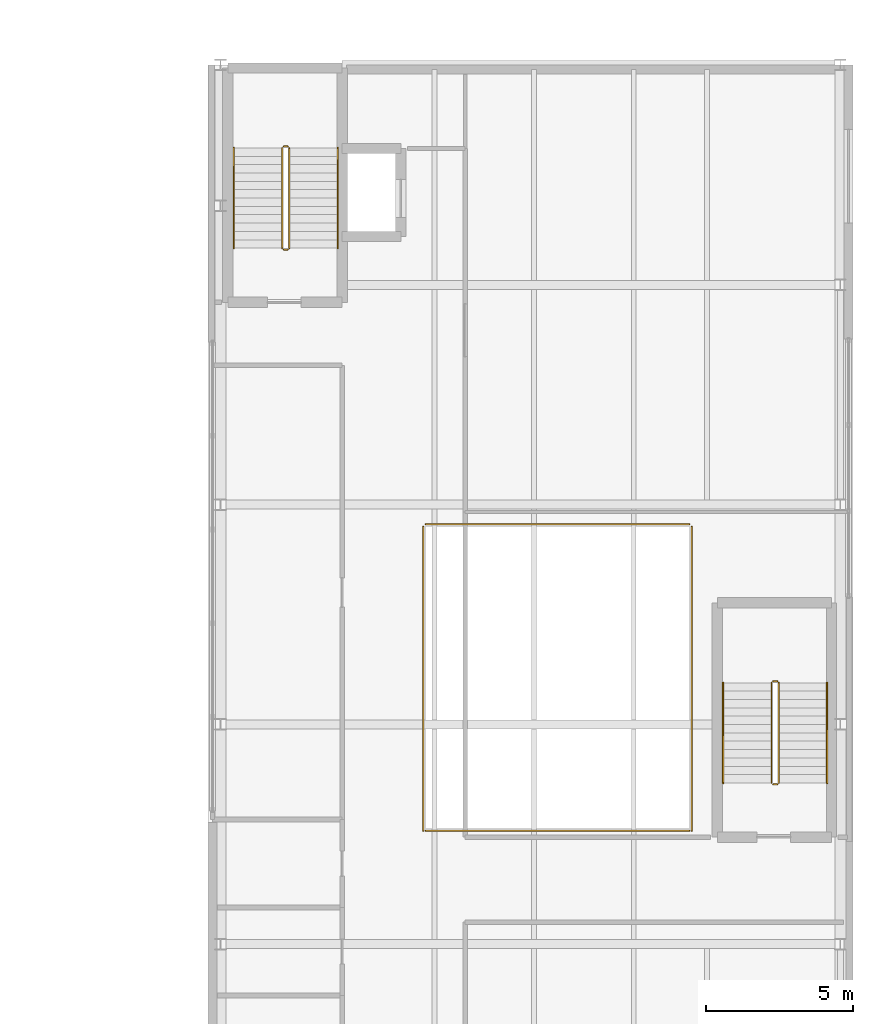
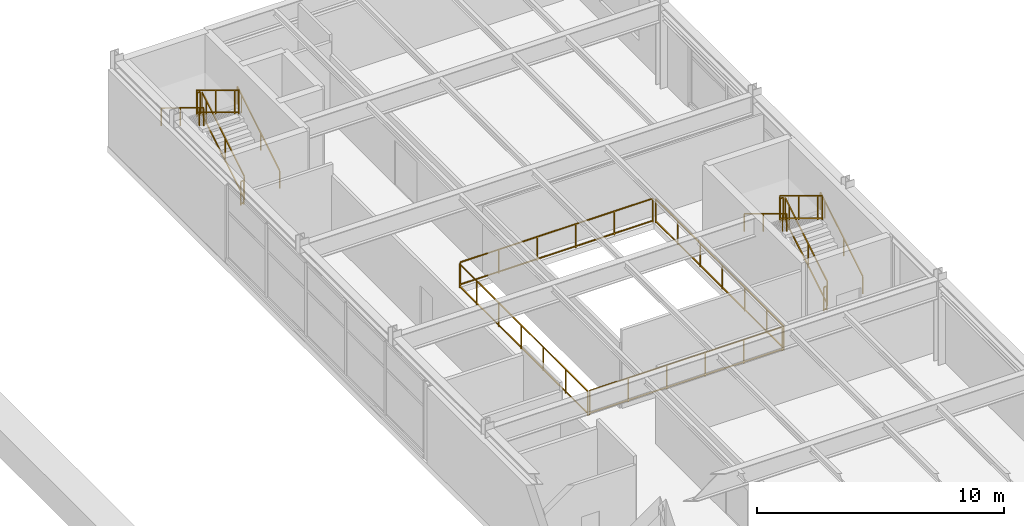
# One storey, part 16 of 16: 16 railings.
"""IFC4 building model written with IfcOpenShell, lengths in metres."""

from ifc_helpers import new_model, si_unit, direction, frame, origin, origin_2d, place, context, subcontext, project, spatial, rectangle, extrude, material, type_object, element, save


model = new_model("IFC4")

# Units and contexts
model_context = context("Model", 3, precision=1e-05, world=origin(), true_north=direction((0.0, 1.0)))
body_context = subcontext(model_context, "Body", "Model", "MODEL_VIEW")
ifc_project = project(units=[si_unit("LENGTHUNIT", "METRE"), si_unit("AREAUNIT", "SQUARE_METRE"), si_unit("VOLUMEUNIT", "CUBIC_METRE"), si_unit("PLANEANGLEUNIT", "RADIAN"), si_unit("MASSUNIT", "GRAM", prefix="KILO")], contexts=[model_context])

# Site, building, storey
site_placement = place(None, origin())
site = spatial("IfcSite", under=ifc_project, at=site_placement, CompositionType="ELEMENT")
building_placement = place(site_placement, origin())
building = spatial("IfcBuilding", under=site, at=building_placement, Name="Mersakhor Tower and Convention Hall", CompositionType="ELEMENT")
storey_placement = place(building_placement, frame((0.0, 0.0, 5.10009765625)))
storey = spatial("IfcBuildingStorey", under=building, at=storey_placement, Name="L01", CompositionType="ELEMENT", Elevation=5.10009765625)

# Railings
ifc_material_1 = material(Name="Powder-coated galvanised steel and laminated glass balustrade", Category="steel")
railing_type_1 = type_object("IfcRailingType", Name="RL-BAL-1200", PredefinedType="BALUSTRADE", material=ifc_material_1)
railing_1_placement = place(storey_placement, frame((62.419921875, 22.1201171875, 0.0)))
element("IfcRailing", 1, at=railing_1_placement, inside=storey, type_object=railing_type_1, Name="Convention L01 Exhibition Gallery Atrium Balustrade W", PredefinedType="BALUSTRADE", context=body_context, shape_type="SweptSolid", body=[
    extrude(rectangle(XDim=0.048095703125, YDim=0.048095703125, at=origin_2d()), frame((0.0, 0.0, 1.17578125), z_axis=(0.0, 1.0, 0.0), x_axis=(-1.0, 0.0, 0.0)), (0.0, 0.0, 1.0), 10.3798828125),
    extrude(rectangle(XDim=0.048095703125, YDim=0.048095703125, at=origin_2d()), frame((0.0, 0.0, 0.080078125), z_axis=(0.0, 1.0, 0.0), x_axis=(-1.0, 0.0, 0.0)), (0.0, 0.0, 1.0), 10.3798828125),
    extrude(rectangle(XDim=0.0419921875, YDim=0.0419921875, at=origin_2d()), origin(), (0.0, 0.0, 1.0), 1.15185546875),
    extrude(rectangle(XDim=0.0419921875, YDim=0.0419921875, at=origin_2d()), frame((0.0, 1.800048828125, 0.0)), (0.0, 0.0, 1.0), 1.15185546875),
    extrude(rectangle(XDim=0.0419921875, YDim=0.0419921875, at=origin_2d()), frame((0.0, 3.60009765625, 0.0)), (0.0, 0.0, 1.0), 1.15185546875),
    extrude(rectangle(XDim=0.0419921875, YDim=0.0419921875, at=origin_2d()), frame((0.0, 5.39990234375, 0.0)), (0.0, 0.0, 1.0), 1.15185546875),
    extrude(rectangle(XDim=0.0419921875, YDim=0.0419921875, at=origin_2d()), frame((0.0, 7.199951171875, 0.0)), (0.0, 0.0, 1.0), 1.15185546875),
    extrude(rectangle(XDim=0.0419921875, YDim=0.0419921875, at=origin_2d()), frame((0.0, 9.0, 0.0)), (0.0, 0.0, 1.0), 1.15185546875),
    extrude(rectangle(XDim=0.0419921875, YDim=0.0419921875, at=origin_2d()), frame((0.0, 10.3798828125, 0.0)), (0.0, 0.0, 1.0), 1.15185546875),
])
railing_2_placement = place(storey_placement, frame((62.5, 32.580078125, 0.0)))
element("IfcRailing", 2, at=railing_2_placement, inside=storey, type_object=railing_type_1, Name="Convention L01 Exhibition Gallery Atrium Balustrade N", PredefinedType="BALUSTRADE", context=body_context, shape_type="SweptSolid", body=[
    extrude(rectangle(XDim=0.048095703125, YDim=0.048095703125, at=origin_2d()), frame((0.0, 0.0, 1.17578125), z_axis=(1.0, 0.0, 0.0), x_axis=(0.0, 1.0, 0.0)), (0.0, 0.0, 1.0), 9.0),
    extrude(rectangle(XDim=0.048095703125, YDim=0.048095703125, at=origin_2d()), frame((0.0, 0.0, 0.080078125), z_axis=(1.0, 0.0, 0.0), x_axis=(0.0, 1.0, 0.0)), (0.0, 0.0, 1.0), 9.0),
    extrude(rectangle(XDim=0.0419921875, YDim=0.0419921875, at=origin_2d()), origin(), (0.0, 0.0, 1.0), 1.15185546875),
    extrude(rectangle(XDim=0.0419921875, YDim=0.0419921875, at=origin_2d()), frame((1.800048828125, 0.0, 0.0)), (0.0, 0.0, 1.0), 1.15185546875),
    extrude(rectangle(XDim=0.0419921875, YDim=0.0419921875, at=origin_2d()), frame((3.60009765625, 0.0, 0.0)), (0.0, 0.0, 1.0), 1.15185546875),
    extrude(rectangle(XDim=0.0419921875, YDim=0.0419921875, at=origin_2d()), frame((5.39990234375, 0.0, 0.0)), (0.0, 0.0, 1.0), 1.15185546875),
    extrude(rectangle(XDim=0.0419921875, YDim=0.0419921875, at=origin_2d()), frame((7.199951171875, 0.0, 0.0)), (0.0, 0.0, 1.0), 1.15185546875),
    extrude(rectangle(XDim=0.0419921875, YDim=0.0419921875, at=origin_2d()), frame((9.0, 0.0, 0.0)), (0.0, 0.0, 1.0), 1.15185546875),
])
railing_3_placement = place(storey_placement, frame((71.580078125, 32.5, 0.0)))
element("IfcRailing", 3, at=railing_3_placement, inside=storey, type_object=railing_type_1, Name="Convention L01 Exhibition Gallery Atrium Balustrade E", PredefinedType="BALUSTRADE", context=body_context, shape_type="SweptSolid", body=[
    extrude(rectangle(XDim=0.048095703125, YDim=0.048095703125, at=origin_2d()), frame((0.0, 0.0, 1.17578125), z_axis=(0.0, -1.0, 0.0), x_axis=(1.0, 0.0, 0.0)), (0.0, 0.0, 1.0), 10.3798828125),
    extrude(rectangle(XDim=0.048095703125, YDim=0.048095703125, at=origin_2d()), frame((0.0, 0.0, 0.080078125), z_axis=(0.0, -1.0, 0.0), x_axis=(1.0, 0.0, 0.0)), (0.0, 0.0, 1.0), 10.3798828125),
    extrude(rectangle(XDim=0.0419921875, YDim=0.0419921875, at=origin_2d()), origin(), (0.0, 0.0, 1.0), 1.15185546875),
    extrude(rectangle(XDim=0.0419921875, YDim=0.0419921875, at=origin_2d()), frame((0.0, -1.800048828125, 0.0)), (0.0, 0.0, 1.0), 1.15185546875),
    extrude(rectangle(XDim=0.0419921875, YDim=0.0419921875, at=origin_2d()), frame((0.0, -3.60009765625, 0.0)), (0.0, 0.0, 1.0), 1.15185546875),
    extrude(rectangle(XDim=0.0419921875, YDim=0.0419921875, at=origin_2d()), frame((0.0, -5.39990234375, 0.0)), (0.0, 0.0, 1.0), 1.15185546875),
    extrude(rectangle(XDim=0.0419921875, YDim=0.0419921875, at=origin_2d()), frame((0.0, -7.199951171875, 0.0)), (0.0, 0.0, 1.0), 1.15185546875),
    extrude(rectangle(XDim=0.0419921875, YDim=0.0419921875, at=origin_2d()), frame((0.0, -9.0, 0.0)), (0.0, 0.0, 1.0), 1.15185546875),
    extrude(rectangle(XDim=0.0419921875, YDim=0.0419921875, at=origin_2d()), frame((0.0, -10.3798828125, 0.0)), (0.0, 0.0, 1.0), 1.15185546875),
])
railing_4_placement = place(storey_placement, frame((71.5, 22.1201171875, 0.0)))
element("IfcRailing", 4, at=railing_4_placement, inside=storey, type_object=railing_type_1, Name="Convention L01 Exhibition Gallery Atrium Balustrade S", PredefinedType="BALUSTRADE", context=body_context, shape_type="SweptSolid", body=[
    extrude(rectangle(XDim=0.048095703125, YDim=0.048095703125, at=origin_2d()), frame((0.0, 0.0, 1.17578125), z_axis=(-1.0, 0.0, 0.0), x_axis=(0.0, -1.0, 0.0)), (0.0, 0.0, 1.0), 9.0),
    extrude(rectangle(XDim=0.048095703125, YDim=0.048095703125, at=origin_2d()), frame((0.0, 0.0, 0.080078125), z_axis=(-1.0, 0.0, 0.0), x_axis=(0.0, -1.0, 0.0)), (0.0, 0.0, 1.0), 9.0),
    extrude(rectangle(XDim=0.0419921875, YDim=0.0419921875, at=origin_2d()), origin(), (0.0, 0.0, 1.0), 1.15185546875),
    extrude(rectangle(XDim=0.0419921875, YDim=0.0419921875, at=origin_2d()), frame((-1.800048828125, 0.0, 0.0)), (0.0, 0.0, 1.0), 1.15185546875),
    extrude(rectangle(XDim=0.0419921875, YDim=0.0419921875, at=origin_2d()), frame((-3.60009765625, 0.0, 0.0)), (0.0, 0.0, 1.0), 1.15185546875),
    extrude(rectangle(XDim=0.0419921875, YDim=0.0419921875, at=origin_2d()), frame((-5.39990234375, 0.0, 0.0)), (0.0, 0.0, 1.0), 1.15185546875),
    extrude(rectangle(XDim=0.0419921875, YDim=0.0419921875, at=origin_2d()), frame((-7.199951171875, 0.0, 0.0)), (0.0, 0.0, 1.0), 1.15185546875),
    extrude(rectangle(XDim=0.0419921875, YDim=0.0419921875, at=origin_2d()), frame((-9.0, 0.0, 0.0)), (0.0, 0.0, 1.0), 1.15185546875),
])
ifc_material_2 = material(Name="Brushed stainless steel handrail", Category="steel")
railing_type_2 = type_object("IfcRailingType", Name="RL-HR-900", PredefinedType="HANDRAIL", material=ifc_material_2)
railing_5_placement = place(storey_placement, frame((59.5, 42.0, 0.173095703125)))
element("IfcRailing", 5, at=railing_5_placement, inside=storey, type_object=railing_type_2, Name="L01 CH-ST2 stair handrail 1", PredefinedType="HANDRAIL", context=body_context, shape_type="SweptSolid", body=[
    extrude(rectangle(XDim=0.048095703125, YDim=0.048095703125, at=origin_2d()), frame((0.0, 0.0, 0.8759765625), z_axis=(0.0, 0.854729506542, 0.519073665916), x_axis=(-1.0, 0.0, 0.0)), (0.0, 0.0, 1.0), 4.001220703125),
    extrude(rectangle(XDim=0.0419921875, YDim=0.0419921875, at=origin_2d()), origin(), (0.0, 0.0, 1.0), 0.851806640625),
    extrude(rectangle(XDim=0.0419921875, YDim=0.0419921875, at=origin_2d()), frame((0.0, 1.53857421875, 0.934326171875)), (0.0, 0.0, 1.0), 0.851806640625),
    extrude(rectangle(XDim=0.0419921875, YDim=0.0419921875, at=origin_2d()), frame((0.0, 3.076904296875, 1.86865234375)), (0.0, 0.0, 1.0), 0.851806640625),
    extrude(rectangle(XDim=0.0419921875, YDim=0.0419921875, at=origin_2d()), frame((0.0, 3.419921875, 2.076904296875)), (0.0, 0.0, 1.0), 0.851806640625),
])
railing_6_placement = place(storey_placement, frame((55.949951171875, 45.419921875, 2.423095703125)))
element("IfcRailing", 6, at=railing_6_placement, inside=storey, type_object=railing_type_2, Name="L01 CH-ST2 stair handrail 2", PredefinedType="HANDRAIL", context=body_context, shape_type="SweptSolid", body=[
    extrude(rectangle(XDim=0.048095703125, YDim=0.048095703125, at=origin_2d()), frame((0.0, 0.0, 0.8759765625), z_axis=(0.0, -0.854729506542, 0.519073665916), x_axis=(1.0, 0.0, 0.0)), (0.0, 0.0, 1.0), 4.001220703125),
    extrude(rectangle(XDim=0.0419921875, YDim=0.0419921875, at=origin_2d()), origin(), (0.0, 0.0, 1.0), 0.851806640625),
    extrude(rectangle(XDim=0.0419921875, YDim=0.0419921875, at=origin_2d()), frame((0.0, -1.53857421875, 0.934326171875)), (0.0, 0.0, 1.0), 0.851806640625),
    extrude(rectangle(XDim=0.0419921875, YDim=0.0419921875, at=origin_2d()), frame((0.0, -3.076904296875, 1.86865234375)), (0.0, 0.0, 1.0), 0.851806640625),
    extrude(rectangle(XDim=0.0419921875, YDim=0.0419921875, at=origin_2d()), frame((0.0, -3.419921875, 2.076904296875)), (0.0, 0.0, 1.0), 0.851806640625),
])
railing_7_placement = place(storey_placement, frame((76.199951171875, 23.75, 0.173095703125)))
element("IfcRailing", 7, at=railing_7_placement, inside=storey, type_object=railing_type_2, Name="L01 CH-ST3 stair handrail 1", PredefinedType="HANDRAIL", context=body_context, shape_type="SweptSolid", body=[
    extrude(rectangle(XDim=0.048095703125, YDim=0.048095703125, at=origin_2d()), frame((0.0, 0.0, 0.8759765625), z_axis=(0.0, 0.854729506542, 0.519073665916), x_axis=(-1.0, 0.0, 0.0)), (0.0, 0.0, 1.0), 4.001220703125),
    extrude(rectangle(XDim=0.0419921875, YDim=0.0419921875, at=origin_2d()), origin(), (0.0, 0.0, 1.0), 0.851806640625),
    extrude(rectangle(XDim=0.0419921875, YDim=0.0419921875, at=origin_2d()), frame((0.0, 1.53857421875, 0.934326171875)), (0.0, 0.0, 1.0), 0.851806640625),
    extrude(rectangle(XDim=0.0419921875, YDim=0.0419921875, at=origin_2d()), frame((0.0, 3.076904296875, 1.86865234375)), (0.0, 0.0, 1.0), 0.851806640625),
    extrude(rectangle(XDim=0.0419921875, YDim=0.0419921875, at=origin_2d()), frame((0.0, 3.419921875, 2.076904296875)), (0.0, 0.0, 1.0), 0.851806640625),
])
railing_8_placement = place(storey_placement, frame((72.64990234375, 27.169921875, 2.423095703125)))
element("IfcRailing", 8, at=railing_8_placement, inside=storey, type_object=railing_type_2, Name="L01 CH-ST3 stair handrail 2", PredefinedType="HANDRAIL", context=body_context, shape_type="SweptSolid", body=[
    extrude(rectangle(XDim=0.048095703125, YDim=0.048095703125, at=origin_2d()), frame((0.0, 0.0, 0.8759765625), z_axis=(0.0, -0.854729506542, 0.519073665916), x_axis=(1.0, 0.0, 0.0)), (0.0, 0.0, 1.0), 4.001220703125),
    extrude(rectangle(XDim=0.0419921875, YDim=0.0419921875, at=origin_2d()), origin(), (0.0, 0.0, 1.0), 0.851806640625),
    extrude(rectangle(XDim=0.0419921875, YDim=0.0419921875, at=origin_2d()), frame((0.0, -1.53857421875, 0.934326171875)), (0.0, 0.0, 1.0), 0.851806640625),
    extrude(rectangle(XDim=0.0419921875, YDim=0.0419921875, at=origin_2d()), frame((0.0, -3.076904296875, 1.86865234375)), (0.0, 0.0, 1.0), 0.851806640625),
    extrude(rectangle(XDim=0.0419921875, YDim=0.0419921875, at=origin_2d()), frame((0.0, -3.419921875, 2.076904296875)), (0.0, 0.0, 1.0), 0.851806640625),
])
ifc_material_3 = material(Name="Painted steel stair balustrade S355", Category="steel")
railing_type_3 = type_object("IfcRailingType", Name="RL-STG-1200", PredefinedType="BALUSTRADE", material=ifc_material_3)
railing_9_placement = place(storey_placement, frame((57.85009765625, 42.0, 0.173095703125)))
element("IfcRailing", 9, at=railing_9_placement, inside=storey, type_object=railing_type_3, Name="L01 CH-ST2 stair guard 1", PredefinedType="BALUSTRADE", context=body_context, shape_type="SweptSolid", body=[
    extrude(rectangle(XDim=0.048095703125, YDim=0.048095703125, at=origin_2d()), frame((0.0, 0.0, 1.17578125), z_axis=(0.0, 0.854729506542, 0.519073665916), x_axis=(-1.0, 0.0, 0.0)), (0.0, 0.0, 1.0), 4.001220703125),
    extrude(rectangle(XDim=0.048095703125, YDim=0.048095703125, at=origin_2d()), frame((0.0, 0.0, 0.080078125), z_axis=(0.0, 0.854729506542, 0.519073665916), x_axis=(-1.0, 0.0, 0.0)), (0.0, 0.0, 1.0), 4.001220703125),
    extrude(rectangle(XDim=0.0419921875, YDim=0.0419921875, at=origin_2d()), origin(), (0.0, 0.0, 1.0), 1.15185546875),
    extrude(rectangle(XDim=0.0419921875, YDim=0.0419921875, at=origin_2d()), frame((0.0, 1.53857421875, 0.934326171875)), (0.0, 0.0, 1.0), 1.15185546875),
    extrude(rectangle(XDim=0.0419921875, YDim=0.0419921875, at=origin_2d()), frame((0.0, 3.076904296875, 1.86865234375)), (0.0, 0.0, 1.0), 1.15185546875),
    extrude(rectangle(XDim=0.0419921875, YDim=0.0419921875, at=origin_2d()), frame((0.0, 3.419921875, 2.076904296875)), (0.0, 0.0, 1.0), 1.15185546875),
])
railing_10_placement = place(storey_placement, frame((57.800048828125, 45.469970703125, 2.25)))
element("IfcRailing", 10, at=railing_10_placement, inside=storey, type_object=railing_type_3, Name="L01 CH-ST2 stair guard 2", PredefinedType="BALUSTRADE", context=body_context, shape_type="SweptSolid", body=[
    extrude(rectangle(XDim=0.048095703125, YDim=0.048095703125, at=origin_2d()), frame((0.0, 0.0, 1.17578125), z_axis=(-1.0, 0.0, 0.0), x_axis=(0.0, -1.0, 0.0)), (0.0, 0.0, 1.0), 0.150146484375),
    extrude(rectangle(XDim=0.048095703125, YDim=0.048095703125, at=origin_2d()), frame((0.0, 0.0, 0.080078125), z_axis=(-1.0, 0.0, 0.0), x_axis=(0.0, -1.0, 0.0)), (0.0, 0.0, 1.0), 0.150146484375),
    extrude(rectangle(XDim=0.0419921875, YDim=0.0419921875, at=origin_2d()), origin(), (0.0, 0.0, 1.0), 1.15185546875),
    extrude(rectangle(XDim=0.0419921875, YDim=0.0419921875, at=origin_2d()), frame((-0.150146484375, 0.0, 0.0)), (0.0, 0.0, 1.0), 1.15185546875),
])
railing_11_placement = place(storey_placement, frame((57.60009765625, 45.419921875, 2.423095703125)))
element("IfcRailing", 11, at=railing_11_placement, inside=storey, type_object=railing_type_3, Name="L01 CH-ST2 stair guard 3", PredefinedType="BALUSTRADE", context=body_context, shape_type="SweptSolid", body=[
    extrude(rectangle(XDim=0.048095703125, YDim=0.048095703125, at=origin_2d()), frame((0.0, 0.0, 1.17578125), z_axis=(0.0, -0.854729506542, 0.519073665916), x_axis=(1.0, 0.0, 0.0)), (0.0, 0.0, 1.0), 4.001220703125),
    extrude(rectangle(XDim=0.048095703125, YDim=0.048095703125, at=origin_2d()), frame((0.0, 0.0, 0.080078125), z_axis=(0.0, -0.854729506542, 0.519073665916), x_axis=(1.0, 0.0, 0.0)), (0.0, 0.0, 1.0), 4.001220703125),
    extrude(rectangle(XDim=0.0419921875, YDim=0.0419921875, at=origin_2d()), origin(), (0.0, 0.0, 1.0), 1.15185546875),
    extrude(rectangle(XDim=0.0419921875, YDim=0.0419921875, at=origin_2d()), frame((0.0, -1.53857421875, 0.934326171875)), (0.0, 0.0, 1.0), 1.15185546875),
    extrude(rectangle(XDim=0.0419921875, YDim=0.0419921875, at=origin_2d()), frame((0.0, -3.076904296875, 1.86865234375)), (0.0, 0.0, 1.0), 1.15185546875),
    extrude(rectangle(XDim=0.0419921875, YDim=0.0419921875, at=origin_2d()), frame((0.0, -3.419921875, 2.076904296875)), (0.0, 0.0, 1.0), 1.15185546875),
])
railing_12_placement = place(storey_placement, frame((57.800048828125, 41.949951171875, 0.0)))
element("IfcRailing", 12, at=railing_12_placement, inside=storey, type_object=railing_type_3, Name="L01 CH-ST2 stair guard 4", PredefinedType="BALUSTRADE", context=body_context, shape_type="SweptSolid", body=[
    extrude(rectangle(XDim=0.048095703125, YDim=0.048095703125, at=origin_2d()), frame((0.0, 0.0, 1.17578125), z_axis=(-1.0, 0.0, 0.0), x_axis=(0.0, -1.0, 0.0)), (0.0, 0.0, 1.0), 0.150146484375),
    extrude(rectangle(XDim=0.048095703125, YDim=0.048095703125, at=origin_2d()), frame((0.0, 0.0, 0.080078125), z_axis=(-1.0, 0.0, 0.0), x_axis=(0.0, -1.0, 0.0)), (0.0, 0.0, 1.0), 0.150146484375),
    extrude(rectangle(XDim=0.0419921875, YDim=0.0419921875, at=origin_2d()), origin(), (0.0, 0.0, 1.0), 1.15185546875),
    extrude(rectangle(XDim=0.0419921875, YDim=0.0419921875, at=origin_2d()), frame((-0.150146484375, 0.0, 0.0)), (0.0, 0.0, 1.0), 1.15185546875),
])
railing_13_placement = place(storey_placement, frame((74.550048828125, 23.75, 0.173095703125)))
element("IfcRailing", 13, at=railing_13_placement, inside=storey, type_object=railing_type_3, Name="L01 CH-ST3 stair guard 1", PredefinedType="BALUSTRADE", context=body_context, shape_type="SweptSolid", body=[
    extrude(rectangle(XDim=0.048095703125, YDim=0.048095703125, at=origin_2d()), frame((0.0, 0.0, 1.17578125), z_axis=(0.0, 0.854729506542, 0.519073665916), x_axis=(-1.0, 0.0, 0.0)), (0.0, 0.0, 1.0), 4.001220703125),
    extrude(rectangle(XDim=0.048095703125, YDim=0.048095703125, at=origin_2d()), frame((0.0, 0.0, 0.080078125), z_axis=(0.0, 0.854729506542, 0.519073665916), x_axis=(-1.0, 0.0, 0.0)), (0.0, 0.0, 1.0), 4.001220703125),
    extrude(rectangle(XDim=0.0419921875, YDim=0.0419921875, at=origin_2d()), origin(), (0.0, 0.0, 1.0), 1.15185546875),
    extrude(rectangle(XDim=0.0419921875, YDim=0.0419921875, at=origin_2d()), frame((0.0, 1.53857421875, 0.934326171875)), (0.0, 0.0, 1.0), 1.15185546875),
    extrude(rectangle(XDim=0.0419921875, YDim=0.0419921875, at=origin_2d()), frame((0.0, 3.076904296875, 1.86865234375)), (0.0, 0.0, 1.0), 1.15185546875),
    extrude(rectangle(XDim=0.0419921875, YDim=0.0419921875, at=origin_2d()), frame((0.0, 3.419921875, 2.076904296875)), (0.0, 0.0, 1.0), 1.15185546875),
])
railing_14_placement = place(storey_placement, frame((74.5, 27.219970703125, 2.25)))
element("IfcRailing", 14, at=railing_14_placement, inside=storey, type_object=railing_type_3, Name="L01 CH-ST3 stair guard 2", PredefinedType="BALUSTRADE", context=body_context, shape_type="SweptSolid", body=[
    extrude(rectangle(XDim=0.048095703125, YDim=0.048095703125, at=origin_2d()), frame((0.0, 0.0, 1.17578125), z_axis=(-1.0, 0.0, 0.0), x_axis=(0.0, -1.0, 0.0)), (0.0, 0.0, 1.0), 0.14990234375),
    extrude(rectangle(XDim=0.048095703125, YDim=0.048095703125, at=origin_2d()), frame((0.0, 0.0, 0.080078125), z_axis=(-1.0, 0.0, 0.0), x_axis=(0.0, -1.0, 0.0)), (0.0, 0.0, 1.0), 0.14990234375),
    extrude(rectangle(XDim=0.0419921875, YDim=0.0419921875, at=origin_2d()), origin(), (0.0, 0.0, 1.0), 1.15185546875),
    extrude(rectangle(XDim=0.0419921875, YDim=0.0419921875, at=origin_2d()), frame((-0.14990234375, 0.0, 0.0)), (0.0, 0.0, 1.0), 1.15185546875),
])
railing_15_placement = place(storey_placement, frame((74.300048828125, 27.169921875, 2.423095703125)))
element("IfcRailing", 15, at=railing_15_placement, inside=storey, type_object=railing_type_3, Name="L01 CH-ST3 stair guard 3", PredefinedType="BALUSTRADE", context=body_context, shape_type="SweptSolid", body=[
    extrude(rectangle(XDim=0.048095703125, YDim=0.048095703125, at=origin_2d()), frame((0.0, 0.0, 1.17578125), z_axis=(0.0, -0.854729506542, 0.519073665916), x_axis=(1.0, 0.0, 0.0)), (0.0, 0.0, 1.0), 4.001220703125),
    extrude(rectangle(XDim=0.048095703125, YDim=0.048095703125, at=origin_2d()), frame((0.0, 0.0, 0.080078125), z_axis=(0.0, -0.854729506542, 0.519073665916), x_axis=(1.0, 0.0, 0.0)), (0.0, 0.0, 1.0), 4.001220703125),
    extrude(rectangle(XDim=0.0419921875, YDim=0.0419921875, at=origin_2d()), origin(), (0.0, 0.0, 1.0), 1.15185546875),
    extrude(rectangle(XDim=0.0419921875, YDim=0.0419921875, at=origin_2d()), frame((0.0, -1.53857421875, 0.934326171875)), (0.0, 0.0, 1.0), 1.15185546875),
    extrude(rectangle(XDim=0.0419921875, YDim=0.0419921875, at=origin_2d()), frame((0.0, -3.076904296875, 1.86865234375)), (0.0, 0.0, 1.0), 1.15185546875),
    extrude(rectangle(XDim=0.0419921875, YDim=0.0419921875, at=origin_2d()), frame((0.0, -3.419921875, 2.076904296875)), (0.0, 0.0, 1.0), 1.15185546875),
])
railing_16_placement = place(storey_placement, frame((74.5, 23.699951171875, 0.0)))
element("IfcRailing", 16, at=railing_16_placement, inside=storey, type_object=railing_type_3, Name="L01 CH-ST3 stair guard 4", PredefinedType="BALUSTRADE", context=body_context, shape_type="SweptSolid", body=[
    extrude(rectangle(XDim=0.048095703125, YDim=0.048095703125, at=origin_2d()), frame((0.0, 0.0, 1.17578125), z_axis=(-1.0, 0.0, 0.0), x_axis=(0.0, -1.0, 0.0)), (0.0, 0.0, 1.0), 0.14990234375),
    extrude(rectangle(XDim=0.048095703125, YDim=0.048095703125, at=origin_2d()), frame((0.0, 0.0, 0.080078125), z_axis=(-1.0, 0.0, 0.0), x_axis=(0.0, -1.0, 0.0)), (0.0, 0.0, 1.0), 0.14990234375),
    extrude(rectangle(XDim=0.0419921875, YDim=0.0419921875, at=origin_2d()), origin(), (0.0, 0.0, 1.0), 1.15185546875),
    extrude(rectangle(XDim=0.0419921875, YDim=0.0419921875, at=origin_2d()), frame((-0.14990234375, 0.0, 0.0)), (0.0, 0.0, 1.0), 1.15185546875),
])

save(model, "model.ifc")
